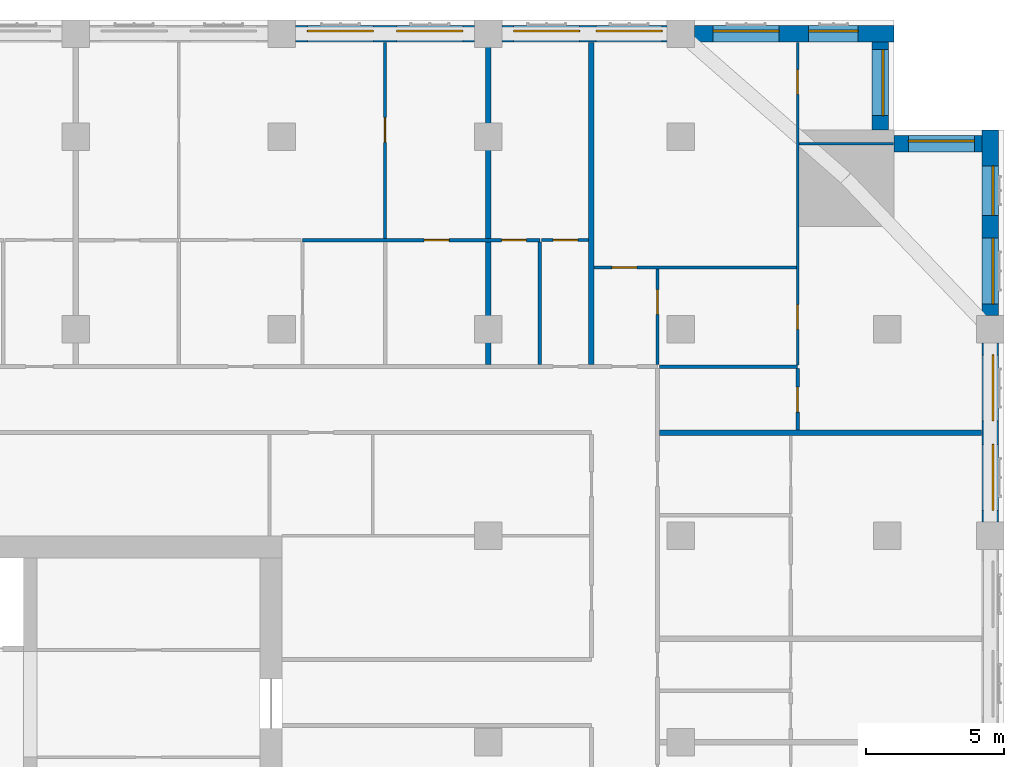
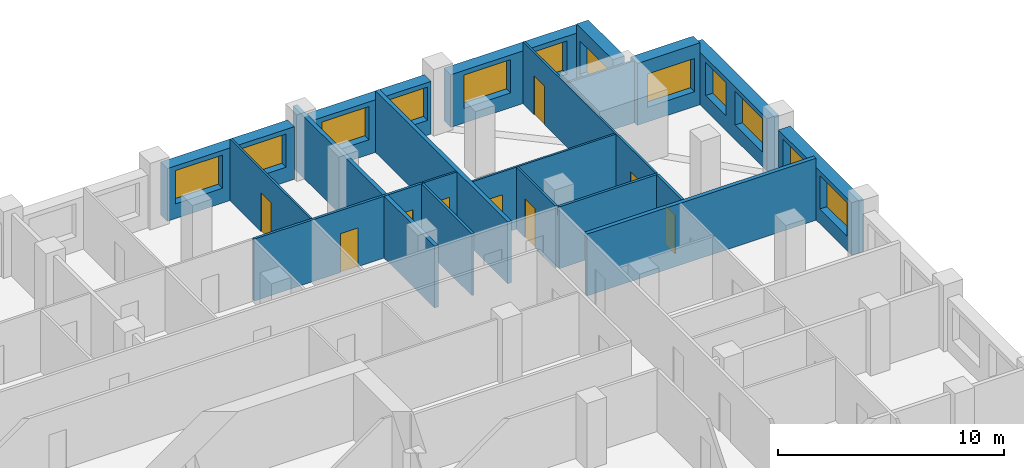
# One storey, part 11 of 14: 20 walls, 12 windows, 9 doors, 21 openings.
"""IFC4 building model written with IfcOpenShell, lengths in metres."""

from ifc_helpers import new_model, si_unit, direction, frame, frame_2d, origin, place, context, subcontext, project, spatial, rectangle, extrude, material, layer, layer_set, type_object, element, fill, save


model = new_model("IFC4")

# Units and contexts
model_context = context("Model", 3, precision=1e-05, world=origin(), true_north=direction((0.0, 1.0)))
body_context = subcontext(model_context, "Body", "Model", "MODEL_VIEW")
ifc_project = project(units=[si_unit("LENGTHUNIT", "METRE"), si_unit("AREAUNIT", "SQUARE_METRE"), si_unit("VOLUMEUNIT", "CUBIC_METRE"), si_unit("PLANEANGLEUNIT", "RADIAN"), si_unit("MASSUNIT", "GRAM", prefix="KILO")], contexts=[model_context])

# Site, building, storey
site_placement = place(None, origin())
site = spatial("IfcSite", under=ifc_project, at=site_placement, CompositionType="ELEMENT")
building_placement = place(site_placement, origin())
building = spatial("IfcBuilding", under=site, at=building_placement, Name="Tamorin Gate", CompositionType="ELEMENT")
storey_placement = place(building_placement, frame((0.0, 0.0, 141.0)))
storey = spatial("IfcBuildingStorey", under=building, at=storey_placement, Name="L34", CompositionType="ELEMENT", Elevation=141.0)

# Wall, openings, windows
ifc_material_1 = material(Name="Precast concrete C40/50", Category="concrete")
ifc_layer_1 = layer(ifc_material_1, 0.60009765625)
ifc_layer_set_1 = layer_set([ifc_layer_1], Name="Precast concrete C40/50")
wall_type_1 = type_object("IfcWallType", Name="Board-marked concrete facade panel 600", PredefinedType="SOLIDWALL", material=ifc_layer_set_1)
wall_1_placement = place(storey_placement, frame((85.75, 83.0, 0.0), z_axis=(0.0, 0.0, 1.0), x_axis=(0.0, 1.0, 0.0)))
wall_1 = element("IfcWall", 1, at=wall_1_placement, inside=storey, type_object=wall_type_1, Name="Facade panel", PredefinedType="SOLIDWALL", context=body_context, shape_type="SweptSolid", body=[
    extrude(rectangle(XDim=6.5, YDim=0.60009765625, at=frame_2d((3.25, 0.0))), origin(), (0.0, 0.0, 1.0), 2.85009765625),
])
opening_1_placement = place(wall_1_placement, frame((0.425048828125, 0.0, 0.800048828125)))
opening_1 = element("IfcOpeningElement", 2, at=opening_1_placement, cuts=wall_1, Name="Opening WN1", PredefinedType="OPENING", context=body_context, shape_type="SweptSolid", body=[
    extrude(rectangle(XDim=2.39990234375, YDim=1.800048828125, at=frame_2d((1.199951171875, 0.89990234375))), frame((0.0, 0.31005859375, 0.0), z_axis=(0.0, -1.0, 0.0), x_axis=(1.0, 0.0, 0.0)), (0.0, 0.0, 1.0), 0.6201171875),
])
opening_2_placement = place(wall_1_placement, frame((3.675048828125, 0.0, 0.800048828125)))
opening_2 = element("IfcOpeningElement", 3, at=opening_2_placement, cuts=wall_1, Name="Opening WN1", PredefinedType="OPENING", context=body_context, shape_type="SweptSolid", body=[
    extrude(rectangle(XDim=2.39990234375, YDim=1.800048828125, at=frame_2d((1.199951171875, 0.89990234375))), frame((0.0, 0.31005859375, 0.0), z_axis=(0.0, -1.0, 0.0), x_axis=(1.0, 0.0, 0.0)), (0.0, 0.0, 1.0), 0.6201171875),
])
ifc_material_2 = material(Name="Clear glass in aluminium frame", Category="aluminium")
window_type_1 = type_object("IfcWindowType", Name="Deep-set window 2400x1800", PartitioningType="SINGLE_PANEL", PredefinedType="WINDOW", material=ifc_material_2)
window_1_placement = place(opening_1_placement, origin())
window_1 = element("IfcWindow", 4, at=window_1_placement, inside=storey, type_object=window_type_1, Name="Deep-set window", OverallHeight=1.800048828125, OverallWidth=2.39990234375, PartitioningType="SINGLE_PANEL", PredefinedType="WINDOW", context=body_context, shape_type="SweptSolid", body=[
    extrude(rectangle(XDim=2.39990234375, YDim=1.800048828125, at=frame_2d((1.199951171875, 0.89990234375))), frame((0.0, -0.070068359375, 0.0), z_axis=(0.0, -1.0, 0.0), x_axis=(1.0, 0.0, 0.0)), (0.0, 0.0, 1.0), 0.06005859375),
])
fill(opening_1, window_1)
window_2_placement = place(opening_2_placement, origin())
window_2 = element("IfcWindow", 5, at=window_2_placement, inside=storey, type_object=window_type_1, Name="Deep-set window", OverallHeight=1.800048828125, OverallWidth=2.39990234375, PartitioningType="SINGLE_PANEL", PredefinedType="WINDOW", context=body_context, shape_type="SweptSolid", body=[
    extrude(rectangle(XDim=2.39990234375, YDim=1.800048828125, at=frame_2d((1.199951171875, 0.89990234375))), frame((0.0, -0.070068359375, 0.0), z_axis=(0.0, -1.0, 0.0), x_axis=(1.0, 0.0, 0.0)), (0.0, 0.0, 1.0), 0.06005859375),
])
fill(opening_2, window_2)

wall_2_placement = place(storey_placement, frame((85.75, 90.5, 0.0), z_axis=(0.0, 0.0, 1.0), x_axis=(0.0, 1.0, 0.0)))
wall_2 = element("IfcWall", 6, at=wall_2_placement, inside=storey, type_object=wall_type_1, Name="Facade panel", PredefinedType="SOLIDWALL", context=body_context, shape_type="SweptSolid", body=[
    extrude(rectangle(XDim=6.75, YDim=0.60009765625, at=frame_2d((3.375, 0.0))), origin(), (0.0, 0.0, 1.0), 2.85009765625),
])
opening_3_placement = place(wall_2_placement, frame((0.425048828125, 0.0, 0.800048828125)))
opening_3 = element("IfcOpeningElement", 7, at=opening_3_placement, cuts=wall_2, Name="Opening WN1", PredefinedType="OPENING", context=body_context, shape_type="SweptSolid", body=[
    extrude(rectangle(XDim=2.39990234375, YDim=1.800048828125, at=frame_2d((1.199951171875, 0.89990234375))), frame((0.0, 0.31005859375, 0.0), z_axis=(0.0, -1.0, 0.0), x_axis=(1.0, 0.0, 0.0)), (0.0, 0.0, 1.0), 0.6201171875),
])
opening_4_placement = place(wall_2_placement, frame((3.64990234375, 0.0, 0.800048828125)))
opening_4 = element("IfcOpeningElement", 8, at=opening_4_placement, cuts=wall_2, Name="Opening WN2", PredefinedType="OPENING", context=body_context, shape_type="SweptSolid", body=[
    extrude(rectangle(XDim=1.800048828125, YDim=1.800048828125, at=frame_2d((0.89990234375, 0.89990234375))), frame((0.0, 0.31005859375, 0.0), z_axis=(0.0, -1.0, 0.0), x_axis=(1.0, 0.0, 0.0)), (0.0, 0.0, 1.0), 0.6201171875),
])
window_type_2 = type_object("IfcWindowType", Name="Deep-set window 1800x1800", PartitioningType="SINGLE_PANEL", PredefinedType="WINDOW", material=ifc_material_2)
window_3_placement = place(opening_4_placement, origin())
window_3 = element("IfcWindow", 9, at=window_3_placement, inside=storey, type_object=window_type_2, Name="Deep-set window", OverallHeight=1.800048828125, OverallWidth=1.800048828125, PartitioningType="SINGLE_PANEL", PredefinedType="WINDOW", context=body_context, shape_type="SweptSolid", body=[
    extrude(rectangle(XDim=1.800048828125, YDim=1.800048828125, at=frame_2d((0.89990234375, 0.89990234375))), frame((0.0, -0.070068359375, 0.0), z_axis=(0.0, -1.0, 0.0), x_axis=(1.0, 0.0, 0.0)), (0.0, 0.0, 1.0), 0.06005859375),
])
fill(opening_4, window_3)
window_4_placement = place(opening_3_placement, origin())
window_4 = element("IfcWindow", 10, at=window_4_placement, inside=storey, type_object=window_type_1, Name="Deep-set window", OverallHeight=1.800048828125, OverallWidth=2.39990234375, PartitioningType="SINGLE_PANEL", PredefinedType="WINDOW", context=body_context, shape_type="SweptSolid", body=[
    extrude(rectangle(XDim=2.39990234375, YDim=1.800048828125, at=frame_2d((1.199951171875, 0.89990234375))), frame((0.0, -0.070068359375, 0.0), z_axis=(0.0, -1.0, 0.0), x_axis=(1.0, 0.0, 0.0)), (0.0, 0.0, 1.0), 0.06005859375),
])
fill(opening_3, window_4)

# Wall, opening, window
wall_3_placement = place(storey_placement, frame((85.449951171875, 96.75, 0.0), z_axis=(0.0, 0.0, 1.0), x_axis=(-1.0, 0.0, 0.0)))
wall_3 = element("IfcWall", 11, at=wall_3_placement, inside=storey, type_object=wall_type_1, Name="Facade panel", PredefinedType="SOLIDWALL", context=body_context, shape_type="SweptSolid", body=[
    extrude(rectangle(XDim=3.199951171875, YDim=0.60009765625, at=frame_2d((1.60009765625, 0.0))), origin(), (0.0, 0.0, 1.0), 3.35009765625),
])
opening_5_placement = place(wall_3_placement, frame((0.27490234375, 0.0, 0.800048828125)))
opening_5 = element("IfcOpeningElement", 12, at=opening_5_placement, cuts=wall_3, Name="Opening WN1", PredefinedType="OPENING", context=body_context, shape_type="SweptSolid", body=[
    extrude(rectangle(XDim=2.39990234375, YDim=1.800048828125, at=frame_2d((1.199951171875, 0.89990234375))), frame((0.0, 0.31005859375, 0.0), z_axis=(0.0, -1.0, 0.0), x_axis=(1.0, 0.0, 0.0)), (0.0, 0.0, 1.0), 0.6201171875),
])
window_5_placement = place(opening_5_placement, origin())
window_5 = element("IfcWindow", 13, at=window_5_placement, inside=storey, type_object=window_type_1, Name="Deep-set window", OverallHeight=1.800048828125, OverallWidth=2.39990234375, PartitioningType="SINGLE_PANEL", PredefinedType="WINDOW", context=body_context, shape_type="SweptSolid", body=[
    extrude(rectangle(XDim=2.39990234375, YDim=1.800048828125, at=frame_2d((1.199951171875, 0.89990234375))), frame((0.0, -0.070068359375, 0.0), z_axis=(0.0, -1.0, 0.0), x_axis=(1.0, 0.0, 0.0)), (0.0, 0.0, 1.0), 0.06005859375),
])
fill(opening_5, window_5)

wall_4_placement = place(storey_placement, frame((81.75, 97.25, 0.0), z_axis=(0.0, 0.0, 1.0), x_axis=(0.0, 1.0, 0.0)))
wall_4 = element("IfcWall", 14, at=wall_4_placement, inside=storey, type_object=wall_type_1, Name="Facade panel", PredefinedType="SOLIDWALL", context=body_context, shape_type="SweptSolid", body=[
    extrude(rectangle(XDim=3.199951171875, YDim=0.60009765625, at=frame_2d((1.60009765625, 0.0))), origin(), (0.0, 0.0, 1.0), 3.35009765625),
])
opening_6_placement = place(wall_4_placement, frame((0.52490234375, 0.0, 0.800048828125)))
opening_6 = element("IfcOpeningElement", 15, at=opening_6_placement, cuts=wall_4, Name="Opening WN1", PredefinedType="OPENING", context=body_context, shape_type="SweptSolid", body=[
    extrude(rectangle(XDim=2.39990234375, YDim=1.800048828125, at=frame_2d((1.199951171875, 0.89990234375))), frame((0.0, 0.31005859375, 0.0), z_axis=(0.0, -1.0, 0.0), x_axis=(1.0, 0.0, 0.0)), (0.0, 0.0, 1.0), 0.6201171875),
])
window_6_placement = place(opening_6_placement, origin())
window_6 = element("IfcWindow", 16, at=window_6_placement, inside=storey, type_object=window_type_1, Name="Deep-set window", OverallHeight=1.800048828125, OverallWidth=2.39990234375, PartitioningType="SINGLE_PANEL", PredefinedType="WINDOW", context=body_context, shape_type="SweptSolid", body=[
    extrude(rectangle(XDim=2.39990234375, YDim=1.800048828125, at=frame_2d((1.199951171875, 0.89990234375))), frame((0.0, -0.070068359375, 0.0), z_axis=(0.0, -1.0, 0.0), x_axis=(1.0, 0.0, 0.0)), (0.0, 0.0, 1.0), 0.06005859375),
])
fill(opening_6, window_6)

# Wall, openings, windows
wall_5_placement = place(storey_placement, frame((82.25, 100.75, 0.0), z_axis=(0.0, 0.0, 1.0), x_axis=(-1.0, 0.0, 0.0)))
wall_5 = element("IfcWall", 17, at=wall_5_placement, inside=storey, type_object=wall_type_1, Name="Facade panel", PredefinedType="SOLIDWALL", context=body_context, shape_type="SweptSolid", body=[
    extrude(rectangle(XDim=7.25, YDim=0.60009765625, at=frame_2d((3.625, 0.0))), origin(), (0.0, 0.0, 1.0), 2.85009765625),
])
opening_7_placement = place(wall_5_placement, frame((4.175048828125, 0.0, 0.800048828125)))
opening_7 = element("IfcOpeningElement", 18, at=opening_7_placement, cuts=wall_5, Name="Opening WN1", PredefinedType="OPENING", context=body_context, shape_type="SweptSolid", body=[
    extrude(rectangle(XDim=2.39990234375, YDim=1.800048828125, at=frame_2d((1.199951171875, 0.89990234375))), frame((0.0, 0.31005859375, 0.0), z_axis=(0.0, -1.0, 0.0), x_axis=(1.0, 0.0, 0.0)), (0.0, 0.0, 1.0), 0.6201171875),
])
opening_8_placement = place(wall_5_placement, frame((1.300048828125, 0.0, 0.800048828125)))
opening_8 = element("IfcOpeningElement", 19, at=opening_8_placement, cuts=wall_5, Name="Opening WN2", PredefinedType="OPENING", context=body_context, shape_type="SweptSolid", body=[
    extrude(rectangle(XDim=1.800048828125, YDim=1.800048828125, at=frame_2d((0.89990234375, 0.89990234375))), frame((0.0, 0.31005859375, 0.0), z_axis=(0.0, -1.0, 0.0), x_axis=(1.0, 0.0, 0.0)), (0.0, 0.0, 1.0), 0.6201171875),
])
window_7_placement = place(opening_8_placement, origin())
window_7 = element("IfcWindow", 20, at=window_7_placement, inside=storey, type_object=window_type_2, Name="Deep-set window", OverallHeight=1.800048828125, OverallWidth=1.800048828125, PartitioningType="SINGLE_PANEL", PredefinedType="WINDOW", context=body_context, shape_type="SweptSolid", body=[
    extrude(rectangle(XDim=1.800048828125, YDim=1.800048828125, at=frame_2d((0.89990234375, 0.89990234375))), frame((0.0, -0.070068359375, 0.0), z_axis=(0.0, -1.0, 0.0), x_axis=(1.0, 0.0, 0.0)), (0.0, 0.0, 1.0), 0.06005859375),
])
fill(opening_8, window_7)
window_8_placement = place(opening_7_placement, origin())
window_8 = element("IfcWindow", 21, at=window_8_placement, inside=storey, type_object=window_type_1, Name="Deep-set window", OverallHeight=1.800048828125, OverallWidth=2.39990234375, PartitioningType="SINGLE_PANEL", PredefinedType="WINDOW", context=body_context, shape_type="SweptSolid", body=[
    extrude(rectangle(XDim=2.39990234375, YDim=1.800048828125, at=frame_2d((1.199951171875, 0.89990234375))), frame((0.0, -0.070068359375, 0.0), z_axis=(0.0, -1.0, 0.0), x_axis=(1.0, 0.0, 0.0)), (0.0, 0.0, 1.0), 0.06005859375),
])
fill(opening_7, window_8)

wall_6_placement = place(storey_placement, frame((74.0, 100.75, 0.0), z_axis=(0.0, 0.0, 1.0), x_axis=(-1.0, 0.0, 0.0)))
wall_6 = element("IfcWall", 22, at=wall_6_placement, inside=storey, type_object=wall_type_1, Name="Facade panel", PredefinedType="SOLIDWALL", context=body_context, shape_type="SweptSolid", body=[
    extrude(rectangle(XDim=6.0, YDim=0.60009765625, at=frame_2d((3.0, 0.0))), origin(), (0.0, 0.0, 1.0), 2.85009765625),
])
opening_9_placement = place(wall_6_placement, frame((3.175048828125, 0.0, 0.800048828125)))
opening_9 = element("IfcOpeningElement", 23, at=opening_9_placement, cuts=wall_6, Name="Opening WN1", PredefinedType="OPENING", context=body_context, shape_type="SweptSolid", body=[
    extrude(rectangle(XDim=2.39990234375, YDim=1.800048828125, at=frame_2d((1.199951171875, 0.89990234375))), frame((0.0, 0.31005859375, 0.0), z_axis=(0.0, -1.0, 0.0), x_axis=(1.0, 0.0, 0.0)), (0.0, 0.0, 1.0), 0.6201171875),
])
opening_10_placement = place(wall_6_placement, frame((0.175048828125, 0.0, 0.800048828125)))
opening_10 = element("IfcOpeningElement", 24, at=opening_10_placement, cuts=wall_6, Name="Opening WN1", PredefinedType="OPENING", context=body_context, shape_type="SweptSolid", body=[
    extrude(rectangle(XDim=2.39990234375, YDim=1.800048828125, at=frame_2d((1.199951171875, 0.89990234375))), frame((0.0, 0.31005859375, 0.0), z_axis=(0.0, -1.0, 0.0), x_axis=(1.0, 0.0, 0.0)), (0.0, 0.0, 1.0), 0.6201171875),
])
window_9_placement = place(opening_9_placement, origin())
window_9 = element("IfcWindow", 25, at=window_9_placement, inside=storey, type_object=window_type_1, Name="Deep-set window", OverallHeight=1.800048828125, OverallWidth=2.39990234375, PartitioningType="SINGLE_PANEL", PredefinedType="WINDOW", context=body_context, shape_type="SweptSolid", body=[
    extrude(rectangle(XDim=2.39990234375, YDim=1.800048828125, at=frame_2d((1.199951171875, 0.89990234375))), frame((0.0, -0.070068359375, 0.0), z_axis=(0.0, -1.0, 0.0), x_axis=(1.0, 0.0, 0.0)), (0.0, 0.0, 1.0), 0.06005859375),
])
fill(opening_9, window_9)
window_10_placement = place(opening_10_placement, origin())
window_10 = element("IfcWindow", 26, at=window_10_placement, inside=storey, type_object=window_type_1, Name="Deep-set window", OverallHeight=1.800048828125, OverallWidth=2.39990234375, PartitioningType="SINGLE_PANEL", PredefinedType="WINDOW", context=body_context, shape_type="SweptSolid", body=[
    extrude(rectangle(XDim=2.39990234375, YDim=1.800048828125, at=frame_2d((1.199951171875, 0.89990234375))), frame((0.0, -0.070068359375, 0.0), z_axis=(0.0, -1.0, 0.0), x_axis=(1.0, 0.0, 0.0)), (0.0, 0.0, 1.0), 0.06005859375),
])
fill(opening_10, window_10)

wall_7_placement = place(storey_placement, frame((67.0, 100.75, 0.0), z_axis=(0.0, 0.0, 1.0), x_axis=(-1.0, 0.0, 0.0)))
wall_7 = element("IfcWall", 27, at=wall_7_placement, inside=storey, type_object=wall_type_1, Name="Facade panel", PredefinedType="SOLIDWALL", context=body_context, shape_type="SweptSolid", body=[
    extrude(rectangle(XDim=6.5, YDim=0.60009765625, at=frame_2d((3.25, 0.0))), origin(), (0.0, 0.0, 1.0), 2.85009765625),
])
opening_11_placement = place(wall_7_placement, frame((3.675048828125, 0.0, 0.800048828125)))
opening_11 = element("IfcOpeningElement", 28, at=opening_11_placement, cuts=wall_7, Name="Opening WN1", PredefinedType="OPENING", context=body_context, shape_type="SweptSolid", body=[
    extrude(rectangle(XDim=2.39990234375, YDim=1.800048828125, at=frame_2d((1.199951171875, 0.89990234375))), frame((0.0, 0.31005859375, 0.0), z_axis=(0.0, -1.0, 0.0), x_axis=(1.0, 0.0, 0.0)), (0.0, 0.0, 1.0), 0.6201171875),
])
opening_12_placement = place(wall_7_placement, frame((0.425048828125, 0.0, 0.800048828125)))
opening_12 = element("IfcOpeningElement", 29, at=opening_12_placement, cuts=wall_7, Name="Opening WN1", PredefinedType="OPENING", context=body_context, shape_type="SweptSolid", body=[
    extrude(rectangle(XDim=2.39990234375, YDim=1.800048828125, at=frame_2d((1.199951171875, 0.89990234375))), frame((0.0, 0.31005859375, 0.0), z_axis=(0.0, -1.0, 0.0), x_axis=(1.0, 0.0, 0.0)), (0.0, 0.0, 1.0), 0.6201171875),
])
window_11_placement = place(opening_11_placement, origin())
window_11 = element("IfcWindow", 30, at=window_11_placement, inside=storey, type_object=window_type_1, Name="Deep-set window", OverallHeight=1.800048828125, OverallWidth=2.39990234375, PartitioningType="SINGLE_PANEL", PredefinedType="WINDOW", context=body_context, shape_type="SweptSolid", body=[
    extrude(rectangle(XDim=2.39990234375, YDim=1.800048828125, at=frame_2d((1.199951171875, 0.89990234375))), frame((0.0, -0.070068359375, 0.0), z_axis=(0.0, -1.0, 0.0), x_axis=(1.0, 0.0, 0.0)), (0.0, 0.0, 1.0), 0.06005859375),
])
fill(opening_11, window_11)
window_12_placement = place(opening_12_placement, origin())
window_12 = element("IfcWindow", 31, at=window_12_placement, inside=storey, type_object=window_type_1, Name="Deep-set window", OverallHeight=1.800048828125, OverallWidth=2.39990234375, PartitioningType="SINGLE_PANEL", PredefinedType="WINDOW", context=body_context, shape_type="SweptSolid", body=[
    extrude(rectangle(XDim=2.39990234375, YDim=1.800048828125, at=frame_2d((1.199951171875, 0.89990234375))), frame((0.0, -0.070068359375, 0.0), z_axis=(0.0, -1.0, 0.0), x_axis=(1.0, 0.0, 0.0)), (0.0, 0.0, 1.0), 0.06005859375),
])
fill(opening_12, window_12)

# Walls
ifc_material_3 = material(Name="Gypsum board partition")
ifc_layer_2 = layer(ifc_material_3, 0.199951171875)
ifc_layer_set_2 = layer_set([ifc_layer_2], Name="Demising wall 200")
wall_type_2 = type_object("IfcWallType", Name="Demising wall 200", PredefinedType="PARTITIONING", material=ifc_layer_set_2)
wall_8_placement = place(storey_placement, frame((73.72509765625, 86.25, 0.0), z_axis=(0.0, 0.0, 1.0), x_axis=(1.0, 0.0, 0.0)))
element("IfcWall", 32, at=wall_8_placement, inside=storey, type_object=wall_type_2, Name="Demising wall 200", PredefinedType="PARTITIONING", context=body_context, shape_type="SweptSolid", body=[
    extrude(rectangle(XDim=11.71484375, YDim=0.199951171875, at=frame_2d((5.857421875, 0.0))), origin(), (0.0, 0.0, 1.0), 3.35009765625),
])
wall_9_placement = place(storey_placement, frame((67.5, 88.72509765625, 0.0), z_axis=(0.0, 0.0, 1.0), x_axis=(0.0, 1.0, 0.0)))
element("IfcWall", 33, at=wall_9_placement, inside=storey, type_object=wall_type_2, Name="Demising wall 200", PredefinedType="PARTITIONING", context=body_context, shape_type="SweptSolid", body=[
    extrude(rectangle(XDim=12.52490234375, YDim=0.199951171875, at=frame_2d((6.262451171875, 0.0))), origin(), (0.0, 0.0, 1.0), 3.35009765625),
])
wall_10_placement = place(storey_placement, frame((71.25, 88.72509765625, 0.0), z_axis=(0.0, 0.0, 1.0), x_axis=(0.0, 1.0, 0.0)))
element("IfcWall", 34, at=wall_10_placement, inside=storey, type_object=wall_type_2, Name="Demising wall 200", PredefinedType="PARTITIONING", context=body_context, shape_type="SweptSolid", body=[
    extrude(rectangle(XDim=11.71484375, YDim=0.199951171875, at=frame_2d((5.857421875, 0.0))), origin(), (0.0, 0.0, 1.0), 3.35009765625),
])

# Wall, opening, door
ifc_layer_3 = layer(ifc_material_3, 0.10009765625)
ifc_layer_set_3 = layer_set([ifc_layer_3], Name="Room partition 100")
wall_type_3 = type_object("IfcWallType", Name="Room partition 100", PredefinedType="PARTITIONING", material=ifc_layer_set_3)
wall_11_placement = place(storey_placement, frame((71.35009765625, 92.25, 0.0), z_axis=(0.0, 0.0, 1.0), x_axis=(1.0, 0.0, 0.0)))
wall_11 = element("IfcWall", 35, at=wall_11_placement, inside=storey, type_object=wall_type_3, Name="Room partition 100", PredefinedType="PARTITIONING", context=body_context, shape_type="SweptSolid", body=[
    extrude(rectangle(XDim=7.349853515625, YDim=0.10009765625, at=frame_2d((3.6748046875, 0.0))), origin(), (0.0, 0.0, 1.0), 3.35009765625),
])
opening_13_placement = place(wall_11_placement, frame((0.64990234375, 0.0, 0.0)))
opening_13 = element("IfcOpeningElement", 36, at=opening_13_placement, cuts=wall_11, Name="Opening DS4066", PredefinedType="OPENING", context=body_context, shape_type="SweptSolid", body=[
    extrude(rectangle(XDim=0.89990234375, YDim=2.10009765625, at=frame_2d((0.449951171875, 1.050048828125))), frame((0.0, 0.06005859375, 0.0), z_axis=(0.0, -1.0, 0.0), x_axis=(1.0, 0.0, 0.0)), (0.0, 0.0, 1.0), 0.1201171875),
])
ifc_material_4 = material(Name="Timber door leaf", Category="wood")
door_type = type_object("IfcDoorType", Name="Door 900 x 2100", OperationType="NOTDEFINED", PredefinedType="DOOR", material=ifc_material_4)
door_1_placement = place(opening_13_placement, origin())
door_1 = element("IfcDoor", 37, at=door_1_placement, inside=storey, type_object=door_type, Name="Door DS4066", OperationType="SINGLE_SWING_LEFT", OverallHeight=2.10009765625, OverallWidth=0.89990234375, PredefinedType="DOOR", context=body_context, shape_type="SweptSolid", body=[
    extrude(rectangle(XDim=0.89990234375, YDim=2.10009765625, at=frame_2d((0.449951171875, 1.050048828125))), frame((0.0, 0.02490234375, 0.0), z_axis=(0.0, -1.0, 0.0), x_axis=(1.0, 0.0, 0.0)), (0.0, 0.0, 1.0), 0.050048828125),
])
fill(opening_13, door_1)

wall_12_placement = place(storey_placement, frame((69.4375, 93.25, 0.0), z_axis=(0.0, 0.0, 1.0), x_axis=(1.0, 0.0, 0.0)))
wall_12 = element("IfcWall", 38, at=wall_12_placement, inside=storey, type_object=wall_type_3, Name="Room partition 100", PredefinedType="PARTITIONING", context=body_context, shape_type="SweptSolid", body=[
    extrude(rectangle(XDim=1.71240234375, YDim=0.10009765625, at=frame_2d((0.856201171875, 0.0))), origin(), (0.0, 0.0, 1.0), 3.35009765625),
])
opening_14_placement = place(wall_12_placement, frame((0.425048828125, 0.0, 0.0)))
opening_14 = element("IfcOpeningElement", 39, at=opening_14_placement, cuts=wall_12, Name="Opening DS4042", PredefinedType="OPENING", context=body_context, shape_type="SweptSolid", body=[
    extrude(rectangle(XDim=0.89990234375, YDim=2.10009765625, at=frame_2d((0.449951171875, 1.050048828125))), frame((0.0, 0.06005859375, 0.0), z_axis=(0.0, -1.0, 0.0), x_axis=(1.0, 0.0, 0.0)), (0.0, 0.0, 1.0), 0.1201171875),
])
door_2_placement = place(opening_14_placement, origin())
door_2 = element("IfcDoor", 40, at=door_2_placement, inside=storey, type_object=door_type, Name="Door DS4042", OperationType="SINGLE_SWING_RIGHT", OverallHeight=2.10009765625, OverallWidth=0.89990234375, PredefinedType="DOOR", context=body_context, shape_type="SweptSolid", body=[
    extrude(rectangle(XDim=0.89990234375, YDim=2.10009765625, at=frame_2d((0.449951171875, 1.050048828125))), frame((0.0, 0.02490234375, 0.0), z_axis=(0.0, -1.0, 0.0), x_axis=(1.0, 0.0, 0.0)), (0.0, 0.0, 1.0), 0.050048828125),
])
fill(opening_14, door_2)

# Wall
wall_13_placement = place(storey_placement, frame((78.800048828125, 96.75, 0.0), z_axis=(0.0, 0.0, 1.0), x_axis=(1.0, 0.0, 0.0)))
element("IfcWall", 41, at=wall_13_placement, inside=storey, type_object=wall_type_3, Name="Room partition 100", PredefinedType="PARTITIONING", context=body_context, shape_type="SweptSolid", body=[
    extrude(rectangle(XDim=3.43994140625, YDim=0.10009765625, at=frame_2d((1.719970703125, 0.0))), origin(), (0.0, 0.0, 1.0), 3.35009765625),
])

# Wall, opening, door
wall_14_placement = place(storey_placement, frame((63.75, 93.3125, 0.0), z_axis=(0.0, 0.0, 1.0), x_axis=(0.0, 1.0, 0.0)))
wall_14 = element("IfcWall", 42, at=wall_14_placement, inside=storey, type_object=wall_type_3, Name="Room partition 100", PredefinedType="PARTITIONING", context=body_context, shape_type="SweptSolid", body=[
    extrude(rectangle(XDim=7.12744140625, YDim=0.10009765625, at=frame_2d((3.563720703125, 0.0))), origin(), (0.0, 0.0, 1.0), 3.35009765625),
])
opening_15_placement = place(wall_14_placement, frame((3.487548828125, 0.0, 0.0)))
opening_15 = element("IfcOpeningElement", 43, at=opening_15_placement, cuts=wall_14, Name="Opening DS4039", PredefinedType="OPENING", context=body_context, shape_type="SweptSolid", body=[
    extrude(rectangle(XDim=0.89990234375, YDim=2.10009765625, at=frame_2d((0.449951171875, 1.050048828125))), frame((0.0, 0.06005859375, 0.0), z_axis=(0.0, -1.0, 0.0), x_axis=(1.0, 0.0, 0.0)), (0.0, 0.0, 1.0), 0.1201171875),
])
door_3_placement = place(opening_15_placement, origin())
door_3 = element("IfcDoor", 44, at=door_3_placement, inside=storey, type_object=door_type, Name="Door DS4039", OperationType="SINGLE_SWING_LEFT", OverallHeight=2.10009765625, OverallWidth=0.89990234375, PredefinedType="DOOR", context=body_context, shape_type="SweptSolid", body=[
    extrude(rectangle(XDim=0.89990234375, YDim=2.10009765625, at=frame_2d((0.449951171875, 1.050048828125))), frame((0.0, 0.02490234375, 0.0), z_axis=(0.0, -1.0, 0.0), x_axis=(1.0, 0.0, 0.0)), (0.0, 0.0, 1.0), 0.050048828125),
])
fill(opening_15, door_3)

wall_15_placement = place(storey_placement, frame((73.64990234375, 88.72509765625, 0.0), z_axis=(0.0, 0.0, 1.0), x_axis=(0.0, 1.0, 0.0)))
wall_15 = element("IfcWall", 45, at=wall_15_placement, inside=storey, type_object=wall_type_3, Name="Room partition 100", PredefinedType="PARTITIONING", context=body_context, shape_type="SweptSolid", body=[
    extrude(rectangle(XDim=3.474853515625, YDim=0.10009765625, at=frame_2d((1.7373046875, 0.0))), origin(), (0.0, 0.0, 1.0), 3.35009765625),
])
opening_16_placement = place(wall_15_placement, frame((1.824951171875, 0.0, 0.0)))
opening_16 = element("IfcOpeningElement", 46, at=opening_16_placement, cuts=wall_15, Name="Opening DS4067", PredefinedType="OPENING", context=body_context, shape_type="SweptSolid", body=[
    extrude(rectangle(XDim=0.89990234375, YDim=2.10009765625, at=frame_2d((0.449951171875, 1.050048828125))), frame((0.0, 0.06005859375, 0.0), z_axis=(0.0, -1.0, 0.0), x_axis=(1.0, 0.0, 0.0)), (0.0, 0.0, 1.0), 0.1201171875),
])
door_4_placement = place(opening_16_placement, origin())
door_4 = element("IfcDoor", 47, at=door_4_placement, inside=storey, type_object=door_type, Name="Door DS4067", OperationType="SINGLE_SWING_RIGHT", OverallHeight=2.10009765625, OverallWidth=0.89990234375, PredefinedType="DOOR", context=body_context, shape_type="SweptSolid", body=[
    extrude(rectangle(XDim=0.89990234375, YDim=2.10009765625, at=frame_2d((0.449951171875, 1.050048828125))), frame((0.0, 0.02490234375, 0.0), z_axis=(0.0, -1.0, 0.0), x_axis=(1.0, 0.0, 0.0)), (0.0, 0.0, 1.0), 0.050048828125),
])
fill(opening_16, door_4)

# Wall, openings, doors
wall_16_placement = place(storey_placement, frame((78.75, 88.71240234375, 0.0), z_axis=(0.0, 0.0, 1.0), x_axis=(0.0, 1.0, 0.0)))
wall_16 = element("IfcWall", 48, at=wall_16_placement, inside=storey, type_object=wall_type_3, Name="Room partition 100", PredefinedType="PARTITIONING", context=body_context, shape_type="SweptSolid", body=[
    extrude(rectangle(XDim=11.7275390625, YDim=0.10009765625, at=frame_2d((5.86376953125, 0.0))), origin(), (0.0, 0.0, 1.0), 3.35009765625),
])
opening_17_placement = place(wall_16_placement, frame((9.83740234375, 0.0, 0.0)))
opening_17 = element("IfcOpeningElement", 49, at=opening_17_placement, cuts=wall_16, Name="Opening DS4068", PredefinedType="OPENING", context=body_context, shape_type="SweptSolid", body=[
    extrude(rectangle(XDim=0.89990234375, YDim=2.10009765625, at=frame_2d((0.449951171875, 1.050048828125))), frame((0.0, 0.06005859375, 0.0), z_axis=(0.0, -1.0, 0.0), x_axis=(1.0, 0.0, 0.0)), (0.0, 0.0, 1.0), 0.1201171875),
])
opening_18_placement = place(wall_16_placement, frame((1.28759765625, 0.0, 0.0)))
opening_18 = element("IfcOpeningElement", 50, at=opening_18_placement, cuts=wall_16, Name="Opening DS4069", PredefinedType="OPENING", context=body_context, shape_type="SweptSolid", body=[
    extrude(rectangle(XDim=0.89990234375, YDim=2.10009765625, at=frame_2d((0.449951171875, 1.050048828125))), frame((0.0, 0.06005859375, 0.0), z_axis=(0.0, -1.0, 0.0), x_axis=(1.0, 0.0, 0.0)), (0.0, 0.0, 1.0), 0.1201171875),
])
door_5_placement = place(opening_17_placement, origin())
door_5 = element("IfcDoor", 51, at=door_5_placement, inside=storey, type_object=door_type, Name="Door DS4068", OperationType="SINGLE_SWING_LEFT", OverallHeight=2.10009765625, OverallWidth=0.89990234375, PredefinedType="DOOR", context=body_context, shape_type="SweptSolid", body=[
    extrude(rectangle(XDim=0.89990234375, YDim=2.10009765625, at=frame_2d((0.449951171875, 1.050048828125))), frame((0.0, 0.02490234375, 0.0), z_axis=(0.0, -1.0, 0.0), x_axis=(1.0, 0.0, 0.0)), (0.0, 0.0, 1.0), 0.050048828125),
])
fill(opening_17, door_5)
door_6_placement = place(opening_18_placement, origin())
door_6 = element("IfcDoor", 52, at=door_6_placement, inside=storey, type_object=door_type, Name="Door DS4069", OperationType="SINGLE_SWING_RIGHT", OverallHeight=2.10009765625, OverallWidth=0.89990234375, PredefinedType="DOOR", context=body_context, shape_type="SweptSolid", body=[
    extrude(rectangle(XDim=0.89990234375, YDim=2.10009765625, at=frame_2d((0.449951171875, 1.050048828125))), frame((0.0, 0.02490234375, 0.0), z_axis=(0.0, -1.0, 0.0), x_axis=(1.0, 0.0, 0.0)), (0.0, 0.0, 1.0), 0.050048828125),
])
fill(opening_18, door_6)

# Wall
ifc_layer_4 = layer(ifc_material_3, 0.125)
ifc_layer_set_4 = layer_set([ifc_layer_4], Name="Wet wall 125")
wall_type_4 = type_object("IfcWallType", Name="Wet wall 125", PredefinedType="PARTITIONING", material=ifc_layer_set_4)
wall_17_placement = place(storey_placement, frame((73.72509765625, 88.64990234375, 0.0), z_axis=(0.0, 0.0, 1.0), x_axis=(1.0, 0.0, 0.0)))
element("IfcWall", 53, at=wall_17_placement, inside=storey, type_object=wall_type_4, Name="Wet wall 125", PredefinedType="PARTITIONING", context=body_context, shape_type="SweptSolid", body=[
    extrude(rectangle(XDim=5.02490234375, YDim=0.125, at=frame_2d((2.512451171875, 0.0))), origin(), (0.0, 0.0, 1.0), 3.35009765625),
])

# Wall, openings, doors
wall_18_placement = place(storey_placement, frame((60.75, 93.25, 0.0), z_axis=(0.0, 0.0, 1.0), x_axis=(1.0, 0.0, 0.0)))
wall_18 = element("IfcWall", 54, at=wall_18_placement, inside=storey, type_object=wall_type_4, Name="Wet wall 125", PredefinedType="PARTITIONING", context=body_context, shape_type="SweptSolid", body=[
    extrude(rectangle(XDim=8.625, YDim=0.125, at=frame_2d((4.3125, 0.0))), origin(), (0.0, 0.0, 1.0), 3.35009765625),
])
opening_19_placement = place(wall_18_placement, frame((4.425048828125, 0.0, 0.0)))
opening_19 = element("IfcOpeningElement", 55, at=opening_19_placement, cuts=wall_18, Name="Opening DS4037", PredefinedType="OPENING", context=body_context, shape_type="SweptSolid", body=[
    extrude(rectangle(XDim=0.89990234375, YDim=2.10009765625, at=frame_2d((0.449951171875, 1.050048828125))), frame((0.0, 0.072509765625, 0.0), z_axis=(0.0, -1.0, 0.0), x_axis=(1.0, 0.0, 0.0)), (0.0, 0.0, 1.0), 0.14501953125),
])
opening_20_placement = place(wall_18_placement, frame((7.237548828125, 0.0, 0.0)))
opening_20 = element("IfcOpeningElement", 56, at=opening_20_placement, cuts=wall_18, Name="Opening DS4040", PredefinedType="OPENING", context=body_context, shape_type="SweptSolid", body=[
    extrude(rectangle(XDim=0.89990234375, YDim=2.10009765625, at=frame_2d((0.449951171875, 1.050048828125))), frame((0.0, 0.072509765625, 0.0), z_axis=(0.0, -1.0, 0.0), x_axis=(1.0, 0.0, 0.0)), (0.0, 0.0, 1.0), 0.14501953125),
])
door_7_placement = place(opening_19_placement, origin())
door_7 = element("IfcDoor", 57, at=door_7_placement, inside=storey, type_object=door_type, Name="Door DS4037", OperationType="SINGLE_SWING_RIGHT", OverallHeight=2.10009765625, OverallWidth=0.89990234375, PredefinedType="DOOR", context=body_context, shape_type="SweptSolid", body=[
    extrude(rectangle(XDim=0.89990234375, YDim=2.10009765625, at=frame_2d((0.449951171875, 1.050048828125))), frame((0.0, 0.02490234375, 0.0), z_axis=(0.0, -1.0, 0.0), x_axis=(1.0, 0.0, 0.0)), (0.0, 0.0, 1.0), 0.050048828125),
])
fill(opening_19, door_7)
door_8_placement = place(opening_20_placement, origin())
door_8 = element("IfcDoor", 58, at=door_8_placement, inside=storey, type_object=door_type, Name="Door DS4040", OperationType="SINGLE_SWING_RIGHT", OverallHeight=2.10009765625, OverallWidth=0.89990234375, PredefinedType="DOOR", context=body_context, shape_type="SweptSolid", body=[
    extrude(rectangle(XDim=0.89990234375, YDim=2.10009765625, at=frame_2d((0.449951171875, 1.050048828125))), frame((0.0, 0.02490234375, 0.0), z_axis=(0.0, -1.0, 0.0), x_axis=(1.0, 0.0, 0.0)), (0.0, 0.0, 1.0), 0.050048828125),
])
fill(opening_20, door_8)

# Wall
wall_19_placement = place(storey_placement, frame((69.375, 88.72509765625, 0.0), z_axis=(0.0, 0.0, 1.0), x_axis=(0.0, 1.0, 0.0)))
element("IfcWall", 59, at=wall_19_placement, inside=storey, type_object=wall_type_4, Name="Wet wall 125", PredefinedType="PARTITIONING", context=body_context, shape_type="SweptSolid", body=[
    extrude(rectangle(XDim=4.46240234375, YDim=0.125, at=frame_2d((2.231201171875, 0.0))), origin(), (0.0, 0.0, 1.0), 3.35009765625),
])

# Wall, opening, door
wall_20_placement = place(storey_placement, frame((78.75, 86.35009765625, 0.0), z_axis=(0.0, 0.0, 1.0), x_axis=(0.0, 1.0, 0.0)))
wall_20 = element("IfcWall", 60, at=wall_20_placement, inside=storey, type_object=wall_type_4, Name="Wet wall 125", PredefinedType="PARTITIONING", context=body_context, shape_type="SweptSolid", body=[
    extrude(rectangle(XDim=2.2373046875, YDim=0.125, at=frame_2d((1.11865234375, 0.0))), origin(), (0.0, 0.0, 1.0), 3.35009765625),
])
opening_21_placement = place(wall_20_placement, frame((0.64990234375, 0.0, 0.0)))
opening_21 = element("IfcOpeningElement", 61, at=opening_21_placement, cuts=wall_20, Name="Opening DS4070", PredefinedType="OPENING", context=body_context, shape_type="SweptSolid", body=[
    extrude(rectangle(XDim=0.89990234375, YDim=2.10009765625, at=frame_2d((0.449951171875, 1.050048828125))), frame((0.0, 0.072509765625, 0.0), z_axis=(0.0, -1.0, 0.0), x_axis=(1.0, 0.0, 0.0)), (0.0, 0.0, 1.0), 0.14501953125),
])
door_9_placement = place(opening_21_placement, origin())
door_9 = element("IfcDoor", 62, at=door_9_placement, inside=storey, type_object=door_type, Name="Door DS4070", OperationType="SINGLE_SWING_LEFT", OverallHeight=2.10009765625, OverallWidth=0.89990234375, PredefinedType="DOOR", context=body_context, shape_type="SweptSolid", body=[
    extrude(rectangle(XDim=0.89990234375, YDim=2.10009765625, at=frame_2d((0.449951171875, 1.050048828125))), frame((0.0, 0.02490234375, 0.0), z_axis=(0.0, -1.0, 0.0), x_axis=(1.0, 0.0, 0.0)), (0.0, 0.0, 1.0), 0.050048828125),
])
fill(opening_21, door_9)

save(model, "model.ifc")
